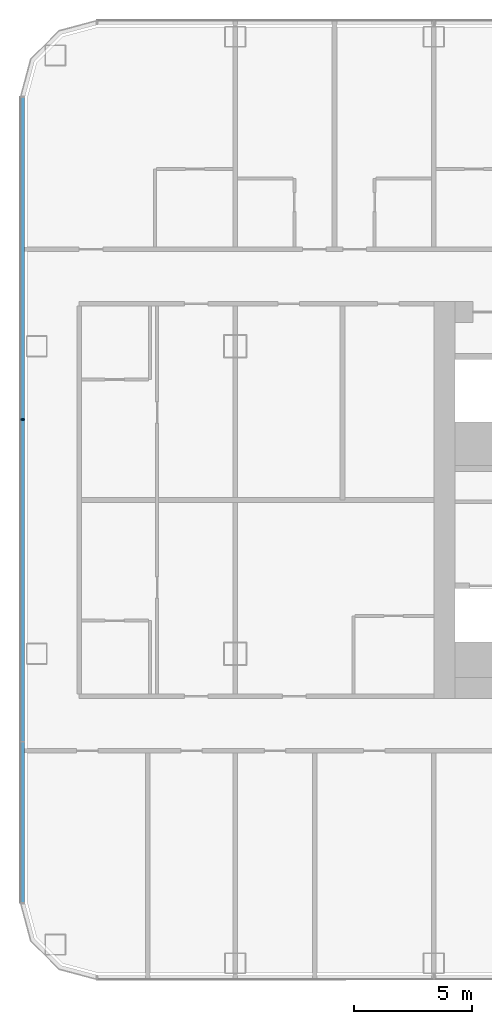
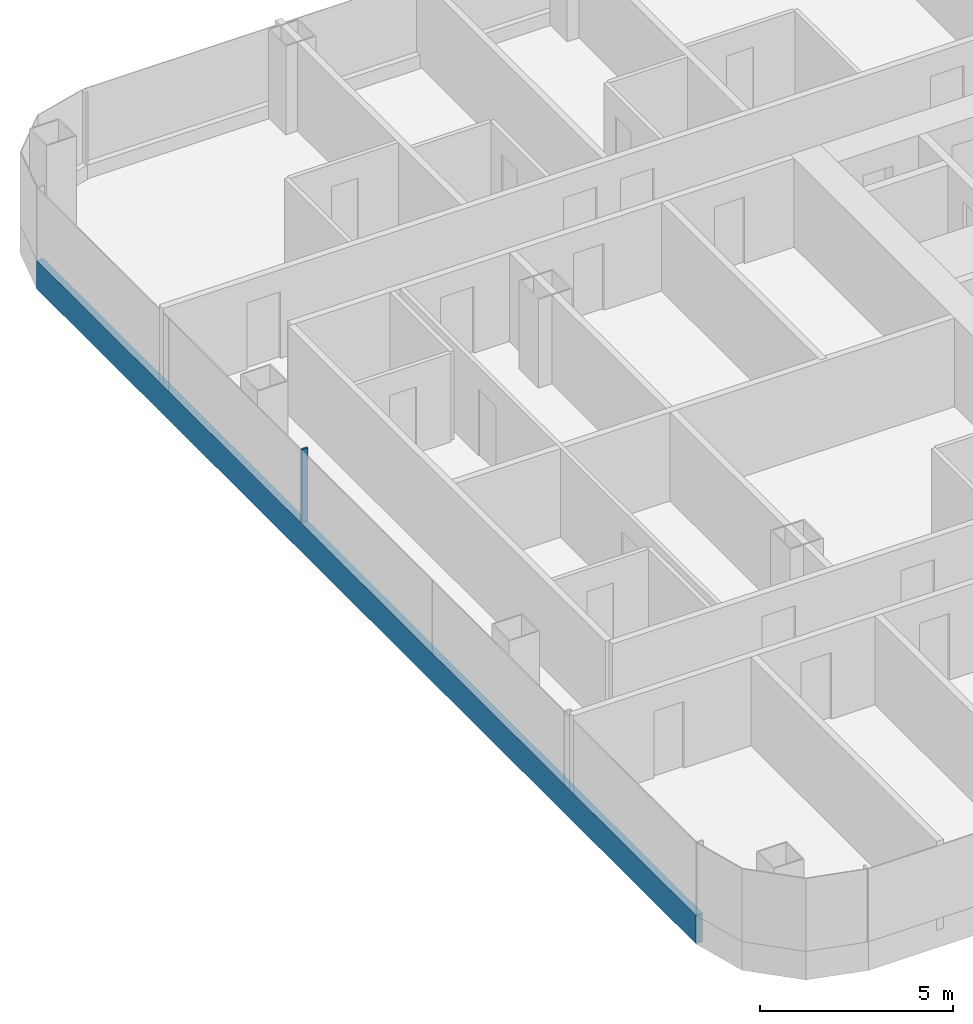
# One storey, part 3 of 28: 2 members, 1 element without a shape of its own.
"""IFC4 building model written with IfcOpenShell, lengths in metres."""

from ifc_helpers import new_model, si_unit, direction, frame, origin, origin_2d, place, context, subcontext, project, spatial, rectangle, extrude, material, layer, layer_set, material_profile, profile_set, type_object, element, aggregate, save


model = new_model("IFC4")

# Units and contexts
model_context = context("Model", 3, precision=1e-05, world=origin(), true_north=direction((0.0, 1.0)))
body_context = subcontext(model_context, "Body", "Model", "MODEL_VIEW")
ifc_project = project(units=[si_unit("LENGTHUNIT", "METRE"), si_unit("AREAUNIT", "SQUARE_METRE"), si_unit("VOLUMEUNIT", "CUBIC_METRE"), si_unit("PLANEANGLEUNIT", "RADIAN"), si_unit("MASSUNIT", "GRAM", prefix="KILO")], contexts=[model_context])

# Site, building, storey
site_placement = place(None, origin())
site = spatial("IfcSite", under=ifc_project, at=site_placement, CompositionType="ELEMENT")
building_placement = place(site_placement, origin())
building = spatial("IfcBuilding", under=site, at=building_placement, Name="Hakoniwa Tower and Hamabe Station Hall", CompositionType="ELEMENT")
storey_placement = place(building_placement, frame((0.0, 0.0, 42.199951171875)))
storey = spatial("IfcBuildingStorey", under=building, at=storey_placement, Name="L11", CompositionType="ELEMENT", Elevation=42.199951171875)

# Curtain wall, members
ifc_material_1 = material(Name="Dark low-e laminated glass", Category="glass")
ifc_layer = layer(ifc_material_1, 0.199951171875)
ifc_layer_set = layer_set([ifc_layer], Name="CW-1 UNITISED GUEST")
curtain_wall_type = type_object("IfcCurtainWallType", Name="CW-1 UNITISED GUEST", PredefinedType="NOTDEFINED", material=ifc_layer_set)
curtain_wall_placement = place(storey_placement, origin())
curtain_wall = element("IfcCurtainWall", 1, at=curtain_wall_placement, inside=storey, type_object=curtain_wall_type, Name="CW-1 curtain wall", PredefinedType="NOTDEFINED")
ifc_material_2 = material(Name="Aluminium 6063-T5 black anodised", Category="aluminium")
ifc_material_profile_1 = material_profile(ifc_material_2, rectangle(XDim=0.199951171875, YDim=0.89990234375, at=origin_2d()), Name="CW SLAB-EDGE BAND 900X200")
ifc_profile_set_1 = profile_set([ifc_material_profile_1], Name="Aluminium 6063-T5 black anodised")
member_type_1 = type_object("IfcMemberType", Name="CW SLAB-EDGE BAND 900X200", PredefinedType="USERDEFINED", material=ifc_profile_set_1)
member_1_placement = place(storey_placement, frame((-51.0, 17.03955078125, -0.099853515625), z_axis=(0.0, -1.0, 0.0), x_axis=(1.0, 0.0, 0.0)))
member_1 = element("IfcMember", 2, at=member_1_placement, type_object=member_type_1, Name="CW-1 transom", ObjectType="TRANSOM", PredefinedType="USERDEFINED", context=body_context, shape_type="SweptSolid", body=[
    extrude(rectangle(XDim=0.199951171875, YDim=0.89990234375, at=origin_2d()), origin(), (0.0, 0.0, 1.0), 34.0791015625),
])
ifc_material_3 = material(Name="Aluminium 6063-T5 black anodised", Category="aluminium")
ifc_material_profile_2 = material_profile(ifc_material_3, rectangle(XDim=0.06005859375, YDim=0.179931640625, at=origin_2d()), Name="CW-1 MULLION 60X180")
ifc_profile_set_2 = profile_set([ifc_material_profile_2], Name="Aluminium 6063-T5 black anodised")
member_type_2 = type_object("IfcMemberType", Name="CW-1 MULLION 60X180", PredefinedType="MULLION", material=ifc_profile_set_2)
member_2_placement = place(storey_placement, frame((-50.98193359375, 3.407958984375, 0.35009765625), z_axis=(0.0, 0.0, 1.0), x_axis=(0.0, -1.0, 0.0)))
member_2 = element("IfcMember", 3, at=member_2_placement, type_object=member_type_2, Name="CW-1 mullion", PredefinedType="MULLION", context=body_context, shape_type="SweptSolid", body=[
    extrude(rectangle(XDim=0.06005859375, YDim=0.179931640625, at=origin_2d()), origin(), (0.0, 0.0, 1.0), 2.300048828125),
])
aggregate(curtain_wall, [member_2, member_1])

save(model, "model.ifc")
